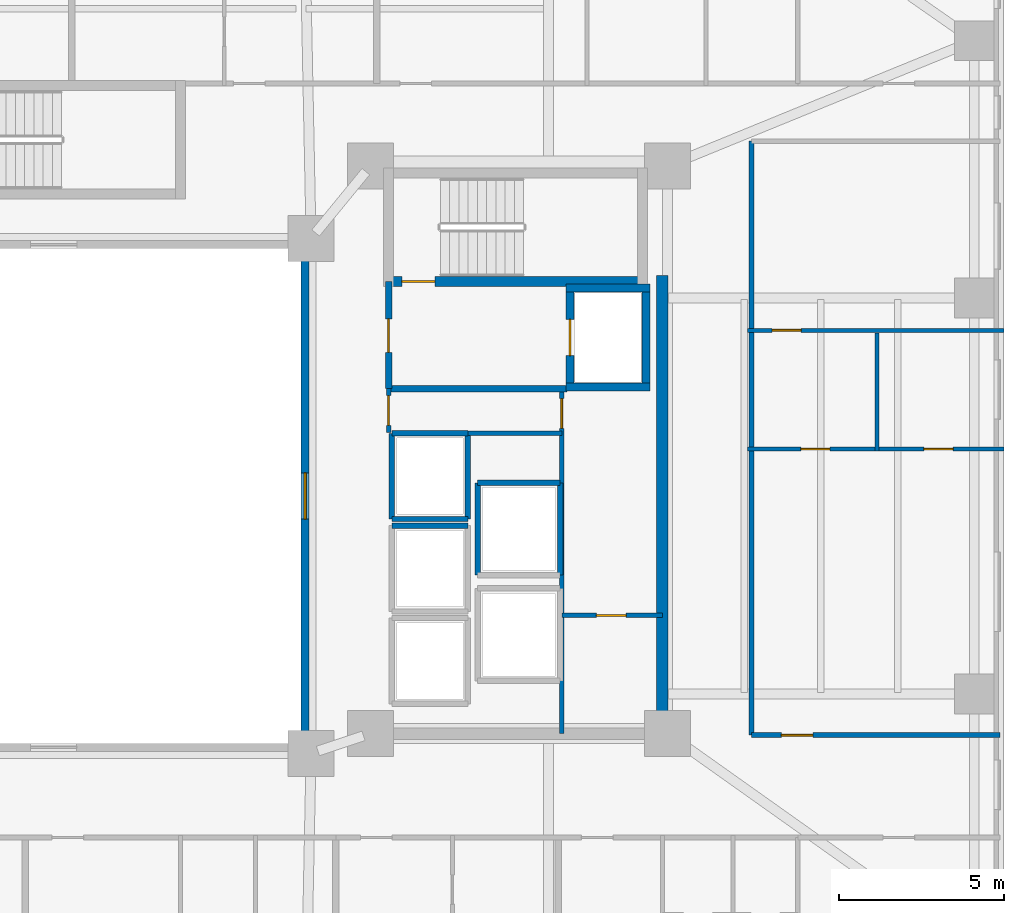
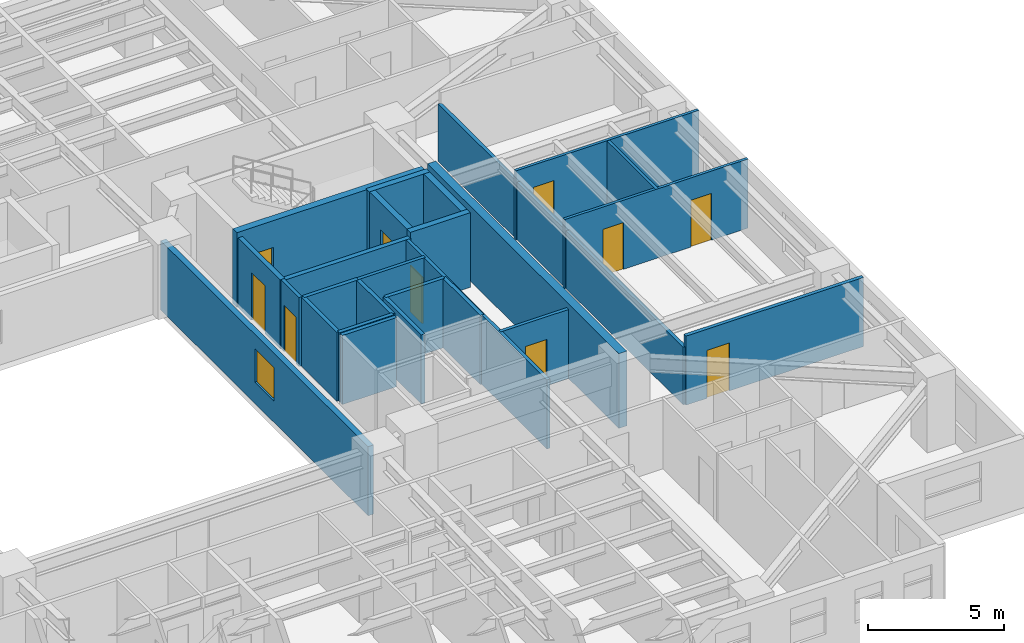
# One storey, part 13 of 21: 26 walls, 10 doors, 1 window, 11 openings.
"""IFC4 building model written with IfcOpenShell, lengths in metres."""

import ifcopenshell
import ifcopenshell.guid

model = None  # the IFC model being written
_history = None  # IfcOwnerHistory: only IFC2X3 demands one
_inside = {}  # id of a spatial element -> (the spatial element, [elements in it])
_under = {}  # id of a project, library or spatial element -> (it, [spatial elements below it])
_declared = {}  # id of a project -> (the project, [libraries it declares])
_typed = {}  # id of a type object -> (the type object, [elements of that type])
_made_of = {}  # id of a material, layer set ... -> (it, [elements and type objects made of it])


def new_model(schema):
    """Start an empty IFC model of exactly this schema.

    Asked for "IFC4X3", IfcOpenShell would pick the latest addendum, in which some entities
    have other attributes; the version numbers below select the first issue.
    IFC2X3 requires an IfcOwnerHistory on every rooted entity: one is made here for all.
    """
    global model, _history
    if schema == "IFC4X3":
        model = ifcopenshell.file(schema_version=(4, 3, 0, 0))
    else:
        model = ifcopenshell.file(schema=schema)
    _inside.clear()
    _under.clear()
    _declared.clear()
    _typed.clear()
    _made_of.clear()
    _history = None
    if model.schema == "IFC2X3":
        org = make("IfcOrganization", Name="unknown")
        user = make(
            "IfcPersonAndOrganization",
            ThePerson=make("IfcPerson", FamilyName="unknown"),
            TheOrganization=org,
        )
        app = make(
            "IfcApplication",
            ApplicationDeveloper=org,
            Version="unknown",
            ApplicationFullName="unknown",
            ApplicationIdentifier="unknown",
        )
        _history = make(
            "IfcOwnerHistory",
            OwningUser=user,
            OwningApplication=app,
            ChangeAction="ADDED",
            CreationDate=0,
        )
    return model


def make(cls, **values):
    """One entity of the class cls with the attributes given. An attribute that is None is left unset."""
    return model.create_entity(
        cls, **{name: value for name, value in values.items() if value is not None}
    )


def rooted(cls, **values):
    """An entity with a GlobalId (a new one), such as an element, a storey or a relation."""
    return make(cls, GlobalId=ifcopenshell.guid.new(), OwnerHistory=_history, **values)


def si_unit(unit_type, name, prefix=None):
    """IfcSIUnit, for example si_unit("LENGTHUNIT", "METRE", prefix="MILLI")."""
    return make("IfcSIUnit", UnitType=unit_type, Prefix=prefix, Name=name)


def assignment(units):
    """IfcUnitAssignment: the units of a project."""
    return None if units is None else make("IfcUnitAssignment", Units=units)


def point(xyz):
    """IfcCartesianPoint."""
    return None if xyz is None else make("IfcCartesianPoint", Coordinates=xyz)


def direction(xyz):
    """IfcDirection."""
    return None if xyz is None else make("IfcDirection", DirectionRatios=xyz)


def frame(location, z_axis=None, x_axis=None):
    """IfcAxis2Placement3D, a coordinate frame: its origin and axes. An axis left out is left unset."""
    return make(
        "IfcAxis2Placement3D",
        Location=point(location),
        Axis=direction(z_axis),
        RefDirection=direction(x_axis),
    )


def frame_2d(location, x_axis=None):
    """IfcAxis2Placement2D, a coordinate frame in the plane: its origin and x axis."""
    return make(
        "IfcAxis2Placement2D", Location=point(location), RefDirection=direction(x_axis)
    )


def origin():
    """The frame at (0, 0, 0) with its axes left unset."""
    return frame((0.0, 0.0, 0.0))


def place(relative_to, where):
    """IfcLocalPlacement: puts the frame where relative to a parent placement (None: the world)."""
    return make(
        "IfcLocalPlacement", PlacementRelTo=relative_to, RelativePlacement=where
    )


def context(
    kind, dimensions, precision=None, world=None, true_north=None, identifier=None
):
    """IfcGeometricRepresentationContext, for example the 3D "Model" context."""
    return make(
        "IfcGeometricRepresentationContext",
        ContextIdentifier=identifier,
        ContextType=kind,
        CoordinateSpaceDimension=dimensions,
        Precision=precision,
        WorldCoordinateSystem=world,
        TrueNorth=true_north,
    )


def subcontext(parent, identifier, kind, view, scale=None):
    """IfcGeometricRepresentationSubContext, for example "Body" below "Model"."""
    return make(
        "IfcGeometricRepresentationSubContext",
        ContextIdentifier=identifier,
        ContextType=kind,
        ParentContext=parent,
        TargetScale=scale,
        TargetView=view,
    )


def project(units=None, contexts=None):
    """IfcProject with its units and contexts."""
    return rooted(
        "IfcProject",
        Name="project",
        RepresentationContexts=contexts,
        UnitsInContext=assignment(units),
    )


def spatial(cls, under=None, at=None, **own):
    """A site, building, storey or space (cls), placed at a placement, below another one or the project."""
    s = rooted(cls, ObjectPlacement=at, **own)
    if under is not None:
        _under.setdefault(under.id(), (under, []))[1].append(s)
    return s


def profile(cls, at=None, kind="AREA", **sizes):
    """A parametric profile (cls). Its sizes go by their IFC names, for example OverallWidth=200.0."""
    return make(cls, ProfileType=kind, Position=at, **sizes)


def rectangle(**sizes):
    """IfcRectangleProfileDef."""
    return profile("IfcRectangleProfileDef", **sizes)


def extrude(swept, where, along, depth):
    """IfcExtrudedAreaSolid: the profile swept, set in the frame where, extruded along a direction by depth."""
    return make(
        "IfcExtrudedAreaSolid",
        SweptArea=swept,
        Position=where,
        ExtrudedDirection=direction(along),
        Depth=depth,
    )


def shape(context_of_items, identifier, shape_type, items):
    """IfcShapeRepresentation: the items that make up one representation, for example the "Body"."""
    return make(
        "IfcShapeRepresentation",
        ContextOfItems=context_of_items,
        RepresentationIdentifier=identifier,
        RepresentationType=shape_type,
        Items=items,
    )


def material(Name=None, Category=None):
    """IfcMaterial."""
    return make("IfcMaterial", Name=Name, Category=Category)


def layer(
    of_material, thickness, ventilated=None, Name=None, Category=None, Priority=None
):
    """IfcMaterialLayer: one layer of a wall or slab, of a material (None: an air gap)."""
    return make(
        "IfcMaterialLayer",
        Material=of_material,
        LayerThickness=thickness,
        IsVentilated=ventilated,
        Name=Name,
        Category=Category,
        Priority=Priority,
    )


def layer_set(layers, Name=None):
    """IfcMaterialLayerSet."""
    return make("IfcMaterialLayerSet", MaterialLayers=layers, LayerSetName=Name)


def made_of(thing, what):
    """Note that an element or type object is made of a material, layer set ...; save() writes the relation."""
    if what is not None:
        _made_of.setdefault(what.id(), (what, []))[1].append(thing)
    return thing


def type_object(cls, material=None, **own):
    """A type object (cls), such as IfcWallType, which elements share."""
    return made_of(rooted(cls, **own), material)


def element(
    cls,
    number,
    at=None,
    inside=None,
    cuts=None,
    type_object=None,
    material=None,
    context=None,
    identifier="Body",
    shape_type=None,
    held_by="IfcProductDefinitionShape",
    body=None,
    shapes=None,
    **own,
):
    """One element of the class cls, such as IfcWall. Its Tag is "e" and its number.

    at: its placement. inside: the storey or other place that contains it. cuts: it is an
    opening in that element (IfcRelVoidsElement). A single representation is given by context,
    identifier, shape_type and body (its items); several are given by shapes. held_by: the class
    of the entity that holds the representations. save() writes the other relations.
    """
    e = rooted(cls, Tag="e%d" % number, ObjectPlacement=at, **own)
    if body is not None:
        shapes = [shape(context, identifier, shape_type, body)]
    if shapes is not None:
        e.Representation = make(held_by, Representations=shapes)
    if inside is not None:
        _inside.setdefault(inside.id(), (inside, []))[1].append(e)
    if cuts is not None:
        rooted(
            "IfcRelVoidsElement", RelatingBuildingElement=cuts, RelatedOpeningElement=e
        )
    if type_object is not None:
        _typed.setdefault(type_object.id(), (type_object, []))[1].append(e)
    return made_of(e, material)


def fill(opening, filler):
    """IfcRelFillsElement: the door or window that sits in an opening."""
    return rooted(
        "IfcRelFillsElement",
        RelatingOpeningElement=opening,
        RelatedBuildingElement=filler,
    )


def aggregate(whole, parts):
    """IfcRelAggregates: a whole, such as a stair, and the parts it consists of."""
    return rooted("IfcRelAggregates", RelatingObject=whole, RelatedObjects=parts)


def save(model, path):
    """Write the relations noted so far, then the file.

    IfcRelAggregates (storeys below a building ...), IfcRelContainedInSpatialStructure (elements
    in a storey), IfcRelDefinesByType, IfcRelAssociatesMaterial and IfcRelDeclares: one each for
    every whole, place, type object, material and project.
    """
    for whole, parts in _under.values():
        aggregate(whole, parts)
    for where, things in _inside.values():
        rooted(
            "IfcRelContainedInSpatialStructure",
            RelatedElements=things,
            RelatingStructure=where,
        )
    for kind, things in _typed.values():
        rooted("IfcRelDefinesByType", RelatedObjects=things, RelatingType=kind)
    for what, things in _made_of.values():
        rooted("IfcRelAssociatesMaterial", RelatedObjects=things, RelatingMaterial=what)
    for by, libraries in _declared.values():
        rooted("IfcRelDeclares", RelatingContext=by, RelatedDefinitions=libraries)
    model.write(path)


model = new_model("IFC4")

# Units and contexts
model_context = context("Model", 3, precision=1e-05, world=origin(), true_north=direction((0.0, 1.0)))
body_context = subcontext(model_context, "Body", "Model", "MODEL_VIEW")
ifc_project = project(units=[si_unit("LENGTHUNIT", "METRE"), si_unit("AREAUNIT", "SQUARE_METRE"), si_unit("VOLUMEUNIT", "CUBIC_METRE"), si_unit("PLANEANGLEUNIT", "RADIAN"), si_unit("MASSUNIT", "GRAM", prefix="KILO")], contexts=[model_context])

# Site, building, storey
site_placement = place(None, origin())
site = spatial("IfcSite", under=ifc_project, at=site_placement, CompositionType="ELEMENT")
building_placement = place(site_placement, origin())
building = spatial("IfcBuilding", under=site, at=building_placement, Name="Tarnavaz Court Tower", CompositionType="ELEMENT")
storey_placement = place(building_placement, frame((0.0, 0.0, 47.449951171875)))
storey = spatial("IfcBuildingStorey", under=building, at=storey_placement, Name="L12", CompositionType="ELEMENT", Elevation=47.449951171875)

# Wall, opening, door
ifc_material_1 = material(Name="Concrete C60/75", Category="concrete")
ifc_layer_1 = layer(ifc_material_1, 0.25)
ifc_layer_set_1 = layer_set([ifc_layer_1], Name="Concrete C60/75")
wall_type_1 = type_object("IfcWallType", Name="WL-CORE-250-C60", PredefinedType="SHEAR", material=ifc_layer_set_1)
wall_1_placement = place(storey_placement, frame((15.64990234375, 3.175048828125, 0.0), z_axis=(0.0, 0.0, 1.0), x_axis=(0.0, 1.0, 0.0)))
wall_1 = element("IfcWall", 1, at=wall_1_placement, inside=storey, type_object=wall_type_1, Name="L12 Lift FL-E1 Shaft Wall 045", PredefinedType="SHEAR", context=body_context, shape_type="SweptSolid", body=[
    extrude(rectangle(XDim=3.25, YDim=0.25, at=frame_2d((1.625, 0.0))), origin(), (0.0, 0.0, 1.0), 3.35009765625),
])
opening_1_placement = place(wall_1_placement, frame((1.074951171875, 0.0, 0.0)))
opening_1 = element("IfcOpeningElement", 2, at=opening_1_placement, cuts=wall_1, Name="Opening LD1", PredefinedType="OPENING", context=body_context, shape_type="SweptSolid", body=[
    extrude(rectangle(XDim=1.10009765625, YDim=2.14990234375, at=frame_2d((0.550048828125, 1.074951171875))), frame((0.0, 0.135009765625, 0.0), z_axis=(0.0, -1.0, 0.0), x_axis=(1.0, 0.0, 0.0)), (0.0, 0.0, 1.0), 0.27001953125),
])
ifc_material_2 = material(Name="Stainless Steel", Category="steel")
door_type_1 = type_object("IfcDoorType", Name="DR-LD-1100", OperationType="NOTDEFINED", PredefinedType="DOOR", material=ifc_material_2)
door_1_placement = place(opening_1_placement, origin())
door_1 = element("IfcDoor", 3, at=door_1_placement, inside=storey, type_object=door_type_1, Name="L12 Lift Landing Door LD-FL-E1", OperationType="SLIDING_TO_LEFT", OverallHeight=2.14990234375, OverallWidth=1.10009765625, PredefinedType="DOOR", context=body_context, shape_type="SweptSolid", body=[
    extrude(rectangle(XDim=1.10009765625, YDim=2.14990234375, at=frame_2d((0.550048828125, 1.074951171875))), frame((0.0, 0.02490234375, 0.0), z_axis=(0.0, -1.0, 0.0), x_axis=(1.0, 0.0, 0.0)), (0.0, 0.0, 1.0), 0.050048828125),
])
fill(opening_1, door_1)

# Walls
wall_2_placement = place(storey_placement, frame((17.949951171875, 3.175048828125, 0.0), z_axis=(0.0, 0.0, 1.0), x_axis=(0.0, 1.0, 0.0)))
element("IfcWall", 4, at=wall_2_placement, inside=storey, type_object=wall_type_1, Name="L12 Lift FL-E1 Shaft Wall 046", PredefinedType="SHEAR", context=body_context, shape_type="SweptSolid", body=[
    extrude(rectangle(XDim=3.25, YDim=0.25, at=frame_2d((1.625, 0.0))), origin(), (0.0, 0.0, 1.0), 3.35009765625),
])
for number, where, z_axis, x_axis, name in (
    (5, (15.52490234375, 3.300048828125, 0.0), (0.0, 0.0, 1.0), (1.0, 0.0, 0.0), "L12 Lift FL-E1 Shaft Wall 047"),
    (6, (15.52490234375, 6.300048828125, 0.0), (0.0, 0.0, 1.0), (1.0, 0.0, 0.0), "L12 Lift FL-E1 Shaft Wall 048"),
):
    element("IfcWall", number, at=place(storey_placement, frame(where, z_axis=z_axis, x_axis=x_axis)), inside=storey, type_object=wall_type_1, Name=name, PredefinedType="SHEAR", context=body_context, shape_type="SweptSolid", body=[
        extrude(rectangle(XDim=2.550048828125, YDim=0.25, at=frame_2d((1.27490234375, 0.0))), origin(), (0.0, 0.0, 1.0), 3.35009765625),
    ])

# Wall, opening, door
ifc_layer_2 = layer(ifc_material_1, 0.300048828125)
ifc_layer_set_2 = layer_set([ifc_layer_2], Name="Concrete C60/75")
wall_type_2 = type_object("IfcWallType", Name="WL-CORE-300-C60", PredefinedType="SHEAR", material=ifc_layer_set_2)
wall_3_placement = place(storey_placement, frame((10.0, 6.5, 0.0), z_axis=(0.0, 0.0, 1.0), x_axis=(1.0, 0.0, 0.0)))
wall_3 = element("IfcWall", 7, at=wall_3_placement, inside=storey, type_object=wall_type_2, Name="L12 East Stair Core Wall 006", PredefinedType="SHEAR", context=body_context, shape_type="SweptSolid", body=[
    extrude(rectangle(XDim=8.0, YDim=0.300048828125, at=frame_2d((4.0, 0.0))), origin(), (0.0, 0.0, 1.0), 3.35009765625),
])
opening_2_placement = place(wall_3_placement, frame((0.550048828125, 0.0, 0.0)))
opening_2 = element("IfcOpeningElement", 8, at=opening_2_placement, cuts=wall_3, Name="Opening D01", PredefinedType="OPENING", context=body_context, shape_type="SweptSolid", body=[
    extrude(rectangle(XDim=1.0, YDim=2.14990234375, at=frame_2d((0.5, 1.074951171875))), frame((0.0, 0.159912109375, 0.0), z_axis=(0.0, -1.0, 0.0), x_axis=(1.0, 0.0, 0.0)), (0.0, 0.0, 1.0), 0.320068359375),
])
ifc_material_3 = material(Name="Fire-Rated Hardwood Timber Core", Category="wood")
door_type_2 = type_object("IfcDoorType", Name="DR-FD90-1000", OperationType="NOTDEFINED", PredefinedType="DOOR", material=ifc_material_3)
door_2_placement = place(opening_2_placement, origin())
door_2 = element("IfcDoor", 9, at=door_2_placement, inside=storey, type_object=door_type_2, Name="L12 Stair ST-E1 Exit Door", OperationType="SINGLE_SWING_RIGHT", OverallHeight=2.14990234375, OverallWidth=1.0, PredefinedType="DOOR", context=body_context, shape_type="SweptSolid", body=[
    extrude(rectangle(XDim=1.0, YDim=2.14990234375, at=frame_2d((0.5, 1.074951171875))), frame((0.0, 0.02490234375, 0.0), z_axis=(0.0, -1.0, 0.0), x_axis=(1.0, 0.0, 0.0)), (0.0, 0.0, 1.0), 0.050048828125),
])
fill(opening_2, door_2)

# Walls
ifc_layer_3 = layer(ifc_material_1, 0.35009765625)
ifc_layer_set_3 = layer_set([ifc_layer_3], Name="Concrete C60/75")
wall_type_3 = type_object("IfcWallType", Name="WL-CORE-350-C60", PredefinedType="SHEAR", material=ifc_layer_set_3)
wall_4_placement = place(storey_placement, frame((18.449951171875, -7.375, 0.0), z_axis=(0.0, 0.0, 1.0), x_axis=(0.0, 1.0, 0.0)))
element("IfcWall", 10, at=wall_4_placement, inside=storey, type_object=wall_type_3, Name="L12 East Core Shear Wall 071", PredefinedType="SHEAR", context=body_context, shape_type="SweptSolid", body=[
    extrude(rectangle(XDim=14.050048828125, YDim=0.35009765625, at=frame_2d((7.02490234375, 0.0))), origin(), (0.0, 0.0, 1.0), 3.35009765625),
])
ifc_material_4 = material(Name="Gypsum Fire-Board on Acoustic Metal Stud", Category="masonry")
ifc_layer_4 = layer(ifc_material_4, 0.14990234375)
ifc_layer_set_4 = layer_set([ifc_layer_4], Name="Gypsum Fire-Board on Acoustic Metal Stud")
wall_type_4 = type_object("IfcWallType", Name="WL-FIRE-150", PredefinedType="PARTITIONING", material=ifc_layer_set_4)
wall_5_placement = place(storey_placement, frame((21.14990234375, -7.25, 0.0), z_axis=(0.0, 0.0, 1.0), x_axis=(0.0, 1.0, 0.0)))
element("IfcWall", 11, at=wall_5_placement, inside=storey, type_object=wall_type_4, Name="L12 East Outer Link Wall 083", PredefinedType="PARTITIONING", context=body_context, shape_type="SweptSolid", body=[
    extrude(rectangle(XDim=18.0, YDim=0.14990234375, at=frame_2d((9.0, 0.0))), origin(), (0.0, 0.0, 1.0), 2.5849609375),
])

# Wall, opening, door
wall_6_placement = place(storey_placement, frame((21.14990234375, -7.25, 0.0), z_axis=(0.0, 0.0, 1.0), x_axis=(1.0, 0.0, 0.0)))
wall_6 = element("IfcWall", 12, at=wall_6_placement, inside=storey, type_object=wall_type_4, Name="L12 Interior Partition 130", PredefinedType="PARTITIONING", context=body_context, shape_type="SweptSolid", body=[
    extrude(rectangle(XDim=7.530029296875, YDim=0.14990234375, at=frame_2d((3.76513671875, 0.0))), origin(), (0.0, 0.0, 1.0), 3.10009765625),
])
opening_3_placement = place(wall_6_placement, frame((0.89990234375, 0.0, 0.0)))
opening_3 = element("IfcOpeningElement", 13, at=opening_3_placement, cuts=wall_6, Name="Opening D06", PredefinedType="OPENING", context=body_context, shape_type="SweptSolid", body=[
    extrude(rectangle(XDim=0.9599609375, YDim=2.14990234375, at=frame_2d((0.47998046875, 1.074951171875))), frame((0.0, 0.0849609375, 0.0), z_axis=(0.0, -1.0, 0.0), x_axis=(1.0, 0.0, 0.0)), (0.0, 0.0, 1.0), 0.169921875),
])
door_type_3 = type_object("IfcDoorType", Name="DR-FD60-950", OperationType="NOTDEFINED", PredefinedType="DOOR", material=ifc_material_3)
door_3_placement = place(opening_3_placement, origin())
door_3 = element("IfcDoor", 14, at=door_3_placement, inside=storey, type_object=door_type_3, Name="L12 Flat 08 Entrance Door", OperationType="SINGLE_SWING_RIGHT", OverallHeight=2.14990234375, OverallWidth=0.9599609375, PredefinedType="DOOR", context=body_context, shape_type="SweptSolid", body=[
    extrude(rectangle(XDim=0.9599609375, YDim=2.14990234375, at=frame_2d((0.47998046875, 1.074951171875))), frame((0.0, 0.02490234375, 0.0), z_axis=(0.0, -1.0, 0.0), x_axis=(1.0, 0.0, 0.0)), (0.0, 0.0, 1.0), 0.050048828125),
])
fill(opening_3, door_3)

# Wall
ifc_material_5 = material(Name="Autoclaved Aerated Concrete Blockwork", Category="masonry")
ifc_layer_5 = layer(ifc_material_5, 0.199951171875)
ifc_layer_set_5 = layer_set([ifc_layer_5], Name="Autoclaved Aerated Concrete Blockwork")
wall_type_5 = type_object("IfcWallType", Name="WL-FIRE-200", PredefinedType="SOLIDWALL", material=ifc_layer_set_5)
wall_7_placement = place(storey_placement, frame((10.14990234375, 3.25, 0.0), z_axis=(0.0, 0.0, 1.0), x_axis=(1.0, 0.0, 0.0)))
element("IfcWall", 15, at=wall_7_placement, inside=storey, type_object=wall_type_5, Name="L12 East Firefighting Lobby Wall 015", PredefinedType="SOLIDWALL", context=body_context, shape_type="SweptSolid", body=[
    extrude(rectangle(XDim=5.400146484375, YDim=0.199951171875, at=frame_2d((2.7001953125, 0.0))), origin(), (0.0, 0.0, 1.0), 3.10009765625),
])

# Wall, opening, door
wall_8_placement = place(storey_placement, frame((10.14990234375, 3.25, 0.0), z_axis=(0.0, 0.0, 1.0), x_axis=(0.0, 1.0, 0.0)))
wall_8 = element("IfcWall", 16, at=wall_8_placement, inside=storey, type_object=wall_type_5, Name="L12 East Firefighting Lobby Wall 016", PredefinedType="SOLIDWALL", context=body_context, shape_type="SweptSolid", body=[
    extrude(rectangle(XDim=3.25, YDim=0.199951171875, at=frame_2d((1.625, 0.0))), origin(), (0.0, 0.0, 1.0), 3.10009765625),
])
opening_4_placement = place(wall_8_placement, frame((1.10009765625, 0.0, 0.0)))
opening_4 = element("IfcOpeningElement", 17, at=opening_4_placement, cuts=wall_8, Name="Opening D05", PredefinedType="OPENING", context=body_context, shape_type="SweptSolid", body=[
    extrude(rectangle(XDim=1.02001953125, YDim=2.14990234375, at=frame_2d((0.510009765625, 1.074951171875))), frame((0.0, 0.10986328125, 0.0), z_axis=(0.0, -1.0, 0.0), x_axis=(1.0, 0.0, 0.0)), (0.0, 0.0, 1.0), 0.219970703125),
])
door_type_4 = type_object("IfcDoorType", Name="DR-FD60-1000", OperationType="NOTDEFINED", PredefinedType="DOOR", material=ifc_material_3)
door_4_placement = place(opening_4_placement, origin())
door_4 = element("IfcDoor", 18, at=door_4_placement, inside=storey, type_object=door_type_4, Name="L12 East Firefighting Lobby Door", OperationType="SINGLE_SWING_LEFT", OverallHeight=2.14990234375, OverallWidth=1.02001953125, PredefinedType="DOOR", context=body_context, shape_type="SweptSolid", body=[
    extrude(rectangle(XDim=1.02001953125, YDim=2.14990234375, at=frame_2d((0.510009765625, 1.074951171875))), frame((0.0, 0.02490234375, 0.0), z_axis=(0.0, -1.0, 0.0), x_axis=(1.0, 0.0, 0.0)), (0.0, 0.0, 1.0), 0.050048828125),
])
fill(opening_4, door_4)

# Wall, openings, doors
ifc_material_6 = material(Name="Moisture-Resistant Gypsum Board Partition", Category="masonry")
ifc_layer_6 = layer(ifc_material_6, 0.1201171875)
ifc_layer_set_6 = layer_set([ifc_layer_6], Name="Moisture-Resistant Gypsum Board Partition")
wall_type_6 = type_object("IfcWallType", Name="WL-PART-120", PredefinedType="PARTITIONING", material=ifc_layer_set_6)
wall_9_placement = place(storey_placement, frame((21.030029296875, 1.419921875, 0.0), z_axis=(0.0, 0.0, 1.0), x_axis=(1.0, 0.0, 0.0)))
wall_9 = element("IfcWall", 19, at=wall_9_placement, inside=storey, type_object=wall_type_6, Name="L12 Interior Partition 143", PredefinedType="PARTITIONING", context=body_context, shape_type="SweptSolid", body=[
    extrude(rectangle(XDim=7.77001953125, YDim=0.1201171875, at=frame_2d((3.885009765625, 0.0))), origin(), (0.0, 0.0, 1.0), 3.10009765625),
])
opening_5_placement = place(wall_9_placement, frame((1.614990234375, 0.0, 0.0)))
opening_5 = element("IfcOpeningElement", 20, at=opening_5_placement, cuts=wall_9, Name="Opening D14", PredefinedType="OPENING", context=body_context, shape_type="SweptSolid", body=[
    extrude(rectangle(XDim=0.8798828125, YDim=2.10009765625, at=frame_2d((0.43994140625, 1.050048828125))), frame((0.0, 0.070068359375, 0.0), z_axis=(0.0, -1.0, 0.0), x_axis=(1.0, 0.0, 0.0)), (0.0, 0.0, 1.0), 0.14013671875),
])
opening_6_placement = place(wall_9_placement, frame((5.344970703125, 0.0, 0.0)))
opening_6 = element("IfcOpeningElement", 21, at=opening_6_placement, cuts=wall_9, Name="Opening D14", PredefinedType="OPENING", context=body_context, shape_type="SweptSolid", body=[
    extrude(rectangle(XDim=0.8798828125, YDim=2.10009765625, at=frame_2d((0.43994140625, 1.050048828125))), frame((0.0, 0.070068359375, 0.0), z_axis=(0.0, -1.0, 0.0), x_axis=(1.0, 0.0, 0.0)), (0.0, 0.0, 1.0), 0.14013671875),
])
ifc_material_7 = material(Name="Engineered Oak Timber", Category="wood")
door_type_5 = type_object("IfcDoorType", Name="DR-INT-900", OperationType="NOTDEFINED", PredefinedType="DOOR", material=ifc_material_7)
door_5_placement = place(opening_5_placement, origin())
door_5 = element("IfcDoor", 22, at=door_5_placement, inside=storey, type_object=door_type_5, Name="L12 Flat 08 Kitchen Door", OperationType="SINGLE_SWING_LEFT", OverallHeight=2.10009765625, OverallWidth=0.8798828125, PredefinedType="DOOR", context=body_context, shape_type="SweptSolid", body=[
    extrude(rectangle(XDim=0.8798828125, YDim=2.10009765625, at=frame_2d((0.43994140625, 1.050048828125))), frame((0.0, 0.02490234375, 0.0), z_axis=(0.0, -1.0, 0.0), x_axis=(1.0, 0.0, 0.0)), (0.0, 0.0, 1.0), 0.050048828125),
])
fill(opening_5, door_5)
door_6_placement = place(opening_6_placement, origin())
door_6 = element("IfcDoor", 23, at=door_6_placement, inside=storey, type_object=door_type_5, Name="L12 Flat 08 Bathroom Door", OperationType="SINGLE_SWING_RIGHT", OverallHeight=2.10009765625, OverallWidth=0.8798828125, PredefinedType="DOOR", context=body_context, shape_type="SweptSolid", body=[
    extrude(rectangle(XDim=0.8798828125, YDim=2.10009765625, at=frame_2d((0.43994140625, 1.050048828125))), frame((0.0, 0.02490234375, 0.0), z_axis=(0.0, -1.0, 0.0), x_axis=(1.0, 0.0, 0.0)), (0.0, 0.0, 1.0), 0.050048828125),
])
fill(opening_6, door_6)

# Wall, opening, door
wall_10_placement = place(storey_placement, frame((21.030029296875, 5.02001953125, 0.0), z_axis=(0.0, 0.0, 1.0), x_axis=(1.0, 0.0, 0.0)))
wall_10 = element("IfcWall", 24, at=wall_10_placement, inside=storey, type_object=wall_type_6, Name="L12 Interior Partition 144", PredefinedType="PARTITIONING", context=body_context, shape_type="SweptSolid", body=[
    extrude(rectangle(XDim=7.77001953125, YDim=0.1201171875, at=frame_2d((3.885009765625, 0.0))), origin(), (0.0, 0.0, 1.0), 3.10009765625),
])
opening_7_placement = place(wall_10_placement, frame((0.739990234375, 0.0, 0.0)))
opening_7 = element("IfcOpeningElement", 25, at=opening_7_placement, cuts=wall_10, Name="Opening D14", PredefinedType="OPENING", context=body_context, shape_type="SweptSolid", body=[
    extrude(rectangle(XDim=0.8798828125, YDim=2.10009765625, at=frame_2d((0.43994140625, 1.050048828125))), frame((0.0, 0.070068359375, 0.0), z_axis=(0.0, -1.0, 0.0), x_axis=(1.0, 0.0, 0.0)), (0.0, 0.0, 1.0), 0.14013671875),
])
door_7_placement = place(opening_7_placement, origin())
door_7 = element("IfcDoor", 26, at=door_7_placement, inside=storey, type_object=door_type_5, Name="L12 Flat 08 Study Door", OperationType="SINGLE_SWING_LEFT", OverallHeight=2.10009765625, OverallWidth=0.8798828125, PredefinedType="DOOR", context=body_context, shape_type="SweptSolid", body=[
    extrude(rectangle(XDim=0.8798828125, YDim=2.10009765625, at=frame_2d((0.43994140625, 1.050048828125))), frame((0.0, 0.02490234375, 0.0), z_axis=(0.0, -1.0, 0.0), x_axis=(1.0, 0.0, 0.0)), (0.0, 0.0, 1.0), 0.050048828125),
])
fill(opening_7, door_7)

# Walls
wall_11_placement = place(storey_placement, frame((24.949951171875, 1.360107421875, 0.0), z_axis=(0.0, 0.0, 1.0), x_axis=(0.0, 1.0, 0.0)))
element("IfcWall", 27, at=wall_11_placement, inside=storey, type_object=wall_type_6, Name="L12 Interior Partition 145", PredefinedType="PARTITIONING", context=body_context, shape_type="SweptSolid", body=[
    extrude(rectangle(XDim=3.579833984375, YDim=0.1201171875, at=frame_2d((1.7900390625, 0.0))), origin(), (0.0, 0.0, 1.0), 3.10009765625),
])
ifc_material_8 = material(Name="Gypsum Plasterboard Acoustic Partition", Category="masonry")
ifc_layer_7 = layer(ifc_material_8, 0.139892578125)
ifc_layer_set_7 = layer_set([ifc_layer_7], Name="Gypsum Plasterboard Acoustic Partition")
wall_type_7 = type_object("IfcWallType", Name="WL-PART-150", PredefinedType="PARTITIONING", material=ifc_layer_set_7)
wall_12_placement = place(storey_placement, frame((12.550048828125, 1.89990234375, 0.0), z_axis=(0.0, 0.0, 1.0), x_axis=(1.0, 0.0, 0.0)))
element("IfcWall", 28, at=wall_12_placement, inside=storey, type_object=wall_type_7, Name="L12 Interior Partition 077", PredefinedType="PARTITIONING", context=body_context, shape_type="SweptSolid", body=[
    extrude(rectangle(XDim=2.849853515625, YDim=0.139892578125, at=frame_2d((1.4248046875, 0.0))), origin(), (0.0, 0.0, 1.0), 3.10009765625),
])

# Wall, opening, door
wall_13_placement = place(storey_placement, frame((10.14990234375, 1.919921875, 0.0), z_axis=(0.0, 0.0, 1.0), x_axis=(0.0, 1.0, 0.0)))
wall_13 = element("IfcWall", 29, at=wall_13_placement, inside=storey, type_object=wall_type_7, Name="L12 Interior Partition 078", PredefinedType="PARTITIONING", context=body_context, shape_type="SweptSolid", body=[
    extrude(rectangle(XDim=1.330078125, YDim=0.139892578125, at=frame_2d((0.6650390625, 0.0))), origin(), (0.0, 0.0, 1.0), 3.10009765625),
])
opening_8_placement = place(wall_13_placement, frame((0.219970703125, 0.0, 0.0)))
opening_8 = element("IfcOpeningElement", 30, at=opening_8_placement, cuts=wall_13, Name="Opening D09", PredefinedType="OPENING", context=body_context, shape_type="SweptSolid", body=[
    extrude(rectangle(XDim=0.89990234375, YDim=2.080078125, at=frame_2d((0.449951171875, 1.0400390625))), frame((0.0, 0.079833984375, 0.0), z_axis=(0.0, -1.0, 0.0), x_axis=(1.0, 0.0, 0.0)), (0.0, 0.0, 1.0), 0.159912109375),
])
door_type_6 = type_object("IfcDoorType", Name="DR-FD30-900", OperationType="NOTDEFINED", PredefinedType="DOOR", material=ifc_material_3)
door_8_placement = place(opening_8_placement, origin())
door_8 = element("IfcDoor", 31, at=door_8_placement, inside=storey, type_object=door_type_6, Name="L12 East Core Service Lobby Door", OperationType="SINGLE_SWING_RIGHT", OverallHeight=2.080078125, OverallWidth=0.89990234375, PredefinedType="DOOR", context=body_context, shape_type="SweptSolid", body=[
    extrude(rectangle(XDim=0.89990234375, YDim=2.080078125, at=frame_2d((0.449951171875, 1.0400390625))), frame((0.0, 0.02490234375, 0.0), z_axis=(0.0, -1.0, 0.0), x_axis=(1.0, 0.0, 0.0)), (0.0, 0.0, 1.0), 0.050048828125),
])
fill(opening_8, door_8)

wall_14_placement = place(storey_placement, frame((15.39990234375, -7.199951171875, 0.0), z_axis=(0.0, 0.0, 1.0), x_axis=(0.0, 1.0, 0.0)))
wall_14 = element("IfcWall", 32, at=wall_14_placement, inside=storey, type_object=wall_type_7, Name="L12 Interior Partition 079", PredefinedType="PARTITIONING", context=body_context, shape_type="SweptSolid", body=[
    extrude(rectangle(XDim=10.449951171875, YDim=0.139892578125, at=frame_2d((5.22509765625, 0.0))), origin(), (0.0, 0.0, 1.0), 3.10009765625),
])
opening_9_placement = place(wall_14_placement, frame((9.25, 0.0, 0.0)))
opening_9 = element("IfcOpeningElement", 33, at=opening_9_placement, cuts=wall_14, Name="Opening D09", PredefinedType="OPENING", context=body_context, shape_type="SweptSolid", body=[
    extrude(rectangle(XDim=0.89990234375, YDim=2.080078125, at=frame_2d((0.449951171875, 1.0400390625))), frame((0.0, 0.079833984375, 0.0), z_axis=(0.0, -1.0, 0.0), x_axis=(1.0, 0.0, 0.0)), (0.0, 0.0, 1.0), 0.159912109375),
])
door_9_placement = place(opening_9_placement, origin())
door_9 = element("IfcDoor", 34, at=door_9_placement, inside=storey, type_object=door_type_6, Name="L12 East Wet Riser Door", OperationType="SINGLE_SWING_LEFT", OverallHeight=2.080078125, OverallWidth=0.89990234375, PredefinedType="DOOR", context=body_context, shape_type="SweptSolid", body=[
    extrude(rectangle(XDim=0.89990234375, YDim=2.080078125, at=frame_2d((0.449951171875, 1.0400390625))), frame((0.0, 0.02490234375, 0.0), z_axis=(0.0, -1.0, 0.0), x_axis=(1.0, 0.0, 0.0)), (0.0, 0.0, 1.0), 0.050048828125),
])
fill(opening_9, door_9)

wall_15_placement = place(storey_placement, frame((15.39990234375, -3.6201171875, 0.0), z_axis=(0.0, 0.0, 1.0), x_axis=(1.0, 0.0, 0.0)))
wall_15 = element("IfcWall", 35, at=wall_15_placement, inside=storey, type_object=wall_type_7, Name="L12 Interior Partition 080", PredefinedType="PARTITIONING", context=body_context, shape_type="SweptSolid", body=[
    extrude(rectangle(XDim=3.050048828125, YDim=0.139892578125, at=frame_2d((1.52490234375, 0.0))), origin(), (0.0, 0.0, 1.0), 3.10009765625),
])
opening_10_placement = place(wall_15_placement, frame((1.050048828125, 0.0, 0.0)))
opening_10 = element("IfcOpeningElement", 36, at=opening_10_placement, cuts=wall_15, Name="Opening D09", PredefinedType="OPENING", context=body_context, shape_type="SweptSolid", body=[
    extrude(rectangle(XDim=0.89990234375, YDim=2.080078125, at=frame_2d((0.449951171875, 1.0400390625))), frame((0.0, 0.079833984375, 0.0), z_axis=(0.0, -1.0, 0.0), x_axis=(1.0, 0.0, 0.0)), (0.0, 0.0, 1.0), 0.159912109375),
])
door_10_placement = place(opening_10_placement, origin())
door_10 = element("IfcDoor", 37, at=door_10_placement, inside=storey, type_object=door_type_6, Name="L12 East Electrical Plant Door", OperationType="SINGLE_SWING_RIGHT", OverallHeight=2.080078125, OverallWidth=0.89990234375, PredefinedType="DOOR", context=body_context, shape_type="SweptSolid", body=[
    extrude(rectangle(XDim=0.89990234375, YDim=2.080078125, at=frame_2d((0.449951171875, 1.0400390625))), frame((0.0, 0.02490234375, 0.0), z_axis=(0.0, -1.0, 0.0), x_axis=(1.0, 0.0, 0.0)), (0.0, 0.0, 1.0), 0.050048828125),
])
fill(opening_10, door_10)

# Walls
ifc_layer_8 = layer(ifc_material_5, 0.159912109375)
ifc_layer_set_8 = layer_set([ifc_layer_8], Name="Autoclaved Aerated Concrete Blockwork")
wall_type_8 = type_object("IfcWallType", Name="WL-SHAFT-150", PredefinedType="SOLIDWALL", material=ifc_layer_set_8)
wall_16_placement = place(storey_placement, frame((10.25, -0.89990234375, 0.0), z_axis=(0.0, 0.0, 1.0), x_axis=(1.0, 0.0, 0.0)))
element("IfcWall", 38, at=wall_16_placement, inside=storey, type_object=wall_type_8, Name="L12 Lift PL-M2 Shaft Wall 056", PredefinedType="SOLIDWALL", context=body_context, shape_type="SweptSolid", body=[
    extrude(rectangle(XDim=2.300048828125, YDim=0.159912109375, at=frame_2d((1.14990234375, 0.0))), origin(), (0.0, 0.0, 1.0), 3.10009765625),
])
for number, where, z_axis, x_axis, name in (
    (39, (10.25, -0.699951171875, 0.0), (0.0, 0.0, 1.0), (0.0, 1.0, 0.0), "L12 Lift PL-M3 Shaft Wall 057"),
    (40, (12.550048828125, -0.699951171875, 0.0), (0.0, 0.0, 1.0), (0.0, 1.0, 0.0), "L12 Lift PL-M3 Shaft Wall 058"),
):
    element("IfcWall", number, at=place(storey_placement, frame(where, z_axis=z_axis, x_axis=x_axis)), inside=storey, type_object=wall_type_8, Name=name, PredefinedType="SOLIDWALL", context=body_context, shape_type="SweptSolid", body=[
        extrude(rectangle(XDim=2.599853515625, YDim=0.159912109375, at=frame_2d((1.2998046875, 0.0))), origin(), (0.0, 0.0, 1.0), 3.10009765625),
    ])
for number, where, z_axis, x_axis, name in (
    (41, (10.25, -0.699951171875, 0.0), (0.0, 0.0, 1.0), (1.0, 0.0, 0.0), "L12 Lift PL-M3 Shaft Wall 059"),
    (42, (10.25, 1.89990234375, 0.0), (0.0, 0.0, 1.0), (1.0, 0.0, 0.0), "L12 Lift PL-M3 Shaft Wall 060"),
):
    element("IfcWall", number, at=place(storey_placement, frame(where, z_axis=z_axis, x_axis=x_axis)), inside=storey, type_object=wall_type_8, Name=name, PredefinedType="SOLIDWALL", context=body_context, shape_type="SweptSolid", body=[
        extrude(rectangle(XDim=2.300048828125, YDim=0.159912109375, at=frame_2d((1.14990234375, 0.0))), origin(), (0.0, 0.0, 1.0), 3.10009765625),
    ])
for number, where, z_axis, x_axis, name in (
    (43, (12.85009765625, -2.39990234375, 0.0), (0.0, 0.0, 1.0), (0.0, 1.0, 0.0), "L12 Lift PL-OB2 Shaft Wall 065"),
    (44, (15.35009765625, -2.39990234375, 0.0), (0.0, 0.0, 1.0), (0.0, 1.0, 0.0), "L12 Lift PL-OB2 Shaft Wall 066"),
):
    element("IfcWall", number, at=place(storey_placement, frame(where, z_axis=z_axis, x_axis=x_axis)), inside=storey, type_object=wall_type_8, Name=name, PredefinedType="SOLIDWALL", context=body_context, shape_type="SweptSolid", body=[
        extrude(rectangle(XDim=2.7998046875, YDim=0.159912109375, at=frame_2d((1.39990234375, 0.0))), origin(), (0.0, 0.0, 1.0), 3.10009765625),
    ])
wall_17_placement = place(storey_placement, frame((12.85009765625, 0.39990234375, 0.0), z_axis=(0.0, 0.0, 1.0), x_axis=(1.0, 0.0, 0.0)))
element("IfcWall", 45, at=wall_17_placement, inside=storey, type_object=wall_type_8, Name="L12 Lift PL-OB2 Shaft Wall 068", PredefinedType="SOLIDWALL", context=body_context, shape_type="SweptSolid", body=[
    extrude(rectangle(XDim=2.5, YDim=0.159912109375, at=frame_2d((1.25, 0.0))), origin(), (0.0, 0.0, 1.0), 3.10009765625),
])

# Wall, opening, window
ifc_material_9 = material(Name="Precast Concrete C40/50", Category="concrete")
ifc_layer_9 = layer(ifc_material_9, 0.239990234375)
ifc_layer_set_9 = layer_set([ifc_layer_9], Name="Precast Concrete C40/50")
wall_type_9 = type_object("IfcWallType", Name="WL-WELL-240", PredefinedType="SOLIDWALL", material=ifc_layer_set_9)
wall_18_placement = place(storey_placement, frame((7.6201171875, -7.6201171875, 0.0), z_axis=(0.0, 0.0, 1.0), x_axis=(0.0, 1.0, 0.0)))
wall_18 = element("IfcWall", 46, at=wall_18_placement, inside=storey, type_object=wall_type_9, Name="L12 Badgir Light-Well Exterior Wall E", PredefinedType="SOLIDWALL", context=body_context, shape_type="SweptSolid", body=[
    extrude(rectangle(XDim=15.240234375, YDim=0.239990234375, at=frame_2d((7.6201171875, 0.0))), origin(), (0.0, 0.0, 1.0), 3.10009765625),
])
opening_11_placement = place(wall_18_placement, frame((6.919921875, 0.0, 0.949951171875)))
opening_11 = element("IfcOpeningElement", 47, at=opening_11_placement, cuts=wall_18, Name="Opening W13", PredefinedType="OPENING", context=body_context, shape_type="SweptSolid", body=[
    extrude(rectangle(XDim=1.39990234375, YDim=1.5, at=frame_2d((0.699951171875, 0.75))), frame((0.0, 0.1298828125, 0.0), z_axis=(0.0, -1.0, 0.0), x_axis=(1.0, 0.0, 0.0)), (0.0, 0.0, 1.0), 0.260009765625),
])
ifc_material_10 = material(Name="Double-Glazed Solar Low-E Glass", Category="glass")
window_type = type_object("IfcWindowType", Name="WN-WEL-1400", PartitioningType="SINGLE_PANEL", PredefinedType="WINDOW", material=ifc_material_10)
window_placement = place(opening_11_placement, origin())
window = element("IfcWindow", 48, at=window_placement, inside=storey, type_object=window_type, Name="L12 Courtyard Gallery Window E", OverallHeight=1.5, OverallWidth=1.39990234375, PartitioningType="SINGLE_PANEL", PredefinedType="WINDOW", context=body_context, shape_type="SweptSolid", body=[
    extrude(rectangle(XDim=1.39990234375, YDim=1.5, at=frame_2d((0.699951171875, 0.75))), frame((0.0, 0.030029296875, 0.0), z_axis=(0.0, -1.0, 0.0), x_axis=(1.0, 0.0, 0.0)), (0.0, 0.0, 1.0), 0.06005859375),
])
fill(opening_11, window)

save(model, "model.ifc")
